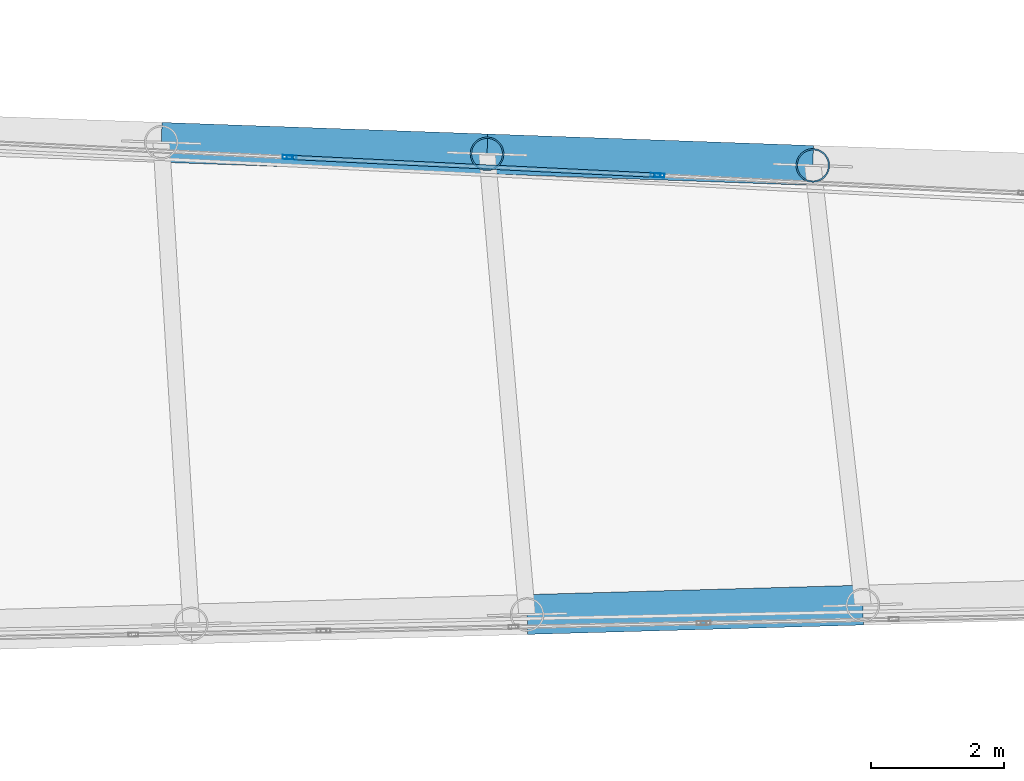
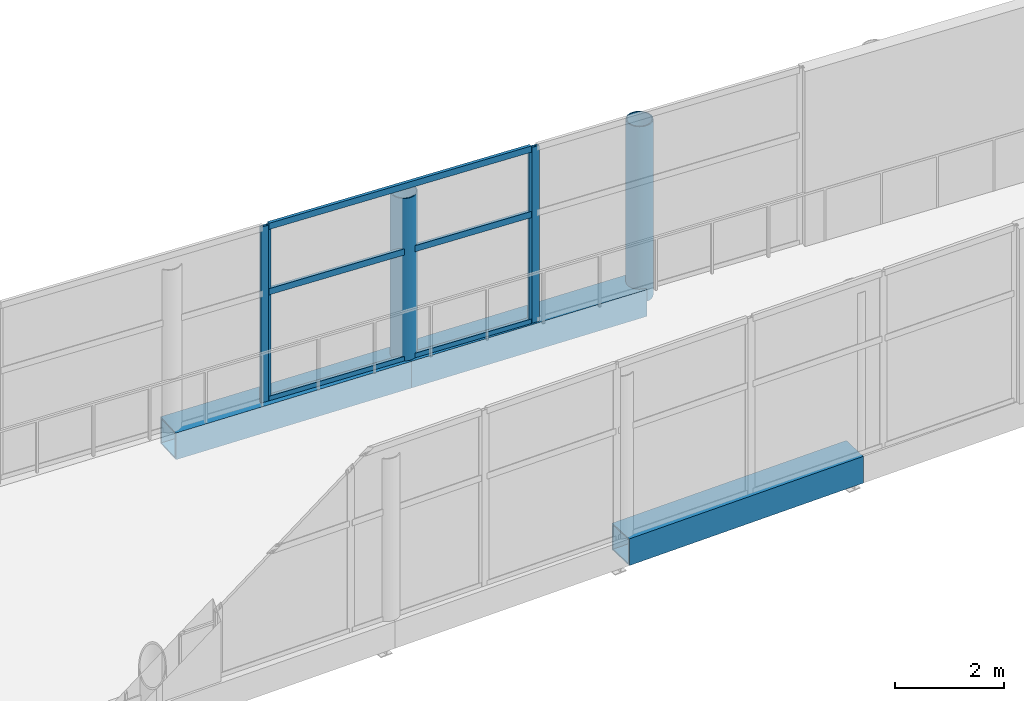
# One storey, part 7 of 23: 12 members, 3 elements without a shape of their own.
"""IFC4 building model written with IfcOpenShell, lengths in metres."""

from ifc_helpers import new_model, si_unit, direction, frame, origin, origin_2d, place, context, subcontext, project, spatial, hollow_rectangle, hollow_circle, extrude, material, layer, layer_set, material_profile, profile_set, type_object, element, aggregate, save


model = new_model("IFC4")

# Units and contexts
model_context = context("Model", 3, precision=1e-05, world=origin(), true_north=direction((0.0, 1.0)))
body_context = subcontext(model_context, "Body", "Model", "MODEL_VIEW")
ifc_project = project(units=[si_unit("LENGTHUNIT", "METRE"), si_unit("AREAUNIT", "SQUARE_METRE"), si_unit("VOLUMEUNIT", "CUBIC_METRE"), si_unit("PLANEANGLEUNIT", "RADIAN"), si_unit("MASSUNIT", "GRAM", prefix="KILO")], contexts=[model_context])

# Site, building, storey
site_placement = place(None, origin())
site = spatial("IfcSite", under=ifc_project, at=site_placement, CompositionType="ELEMENT")
building_placement = place(site_placement, origin())
building = spatial("IfcBuilding", under=site, at=building_placement, Name="Haevon Station Towers", CompositionType="ELEMENT")
storey_placement = place(building_placement, frame((0.0, 0.0, 197.10009765625)))
storey = spatial("IfcBuildingStorey", under=building, at=storey_placement, Name="L54", CompositionType="ELEMENT", Elevation=197.10009765625)

# Members
ifc_material_1 = material(Name="Steel S460", Category="steel")
ifc_material_profile_1 = material_profile(ifc_material_1, hollow_rectangle(XDim=0.60009765625, YDim=0.60009765625, WallThickness=0.030029296875, at=origin_2d()), Name="RHS-600x600x30")
ifc_profile_set_1 = profile_set([ifc_material_profile_1], Name="Steel S460")
member_type_1 = type_object("IfcMemberType", Name="CHSKP-600", PredefinedType="CHORD", material=ifc_profile_set_1)
member_1_placement = place(storey_placement, frame((76.75, 30.567626953125, -0.300048828125), z_axis=(0.999606716423, 0.028043046946, 0.0), x_axis=(-0.028043046946, 0.999606716423, 0.0)))
element("IfcMember", 1, at=member_1_placement, inside=storey, type_object=member_type_1, Name="CH-SKP-S-BOT-5", PredefinedType="CHORD", context=body_context, shape_type="SweptSolid", body=[
    extrude(hollow_rectangle(XDim=0.60009765625, YDim=0.60009765625, WallThickness=0.030029296875, at=origin_2d()), origin(), (0.0, 0.0, 1.0), 5.05810546875),
])
for number, where, z_axis, x_axis, name in (
    (2, (71.241455078125, 37.67822265625, -0.300048828125), (0.99937100153, -0.035462674767, 0.0), (0.035462674767, 0.99937100153, 0.0), "CH-SKP-N-BOT-4"),
    (3, (76.14697265625, 37.504150390625, -0.300048828125), (0.99937100153, -0.035462674767, 0.0), (0.035462674767, 0.99937100153, 0.0), "CH-SKP-N-BOT-5"),
):
    element("IfcMember", number, at=place(storey_placement, frame(where, z_axis=z_axis, x_axis=x_axis)), inside=storey, type_object=member_type_1, Name=name, PredefinedType="CHORD", context=body_context, shape_type="SweptSolid", body=[
        extrude(hollow_rectangle(XDim=0.60009765625, YDim=0.60009765625, WallThickness=0.030029296875, at=origin_2d()), origin(), (0.0, 0.0, 1.0), 4.90869140625),
    ])

# Curtain wall, member
ifc_material_2 = material(Name="Anodised aluminium and Low-E double glazing", Category="aluminium")
ifc_layer = layer(ifc_material_2, 0.179931640625)
ifc_layer_set = layer_set([ifc_layer], Name="Anodised aluminium and Low-E double glazing")
curtain_wall_type = type_object("IfcCurtainWallType", Name="CW-SYS6", PredefinedType="NOTDEFINED", material=ifc_layer_set)
curtain_wall_1_placement = place(storey_placement, origin())
curtain_wall_1 = element("IfcCurtainWall", 4, at=curtain_wall_1_placement, inside=storey, type_object=curtain_wall_type, Name="L54 Curtain Wall CW-SKP-L54-N1", PredefinedType="NOTDEFINED")
ifc_material_3 = material(Name="Anodised aluminium 6063-T6", Category="aluminium")
ifc_material_profile_2 = material_profile(ifc_material_3, hollow_rectangle(XDim=0.06005859375, YDim=0.14990234375, WallThickness=0.00341796875, at=origin_2d()), Name="CWM-150x60x3.5")
ifc_profile_set_2 = profile_set([ifc_material_profile_2], Name="Anodised aluminium 6063-T6")
member_type_2 = type_object("IfcMemberType", Name="CWM-150", PredefinedType="MULLION", material=ifc_profile_set_2)
member_2_placement = place(storey_placement, frame((73.144287109375, 37.453857421875, 0.0), z_axis=(0.0, 0.0, 1.0), x_axis=(0.048821987934, 0.998807495714, 0.0)))
member_2 = element("IfcMember", 5, at=member_2_placement, type_object=member_type_2, Name="CW-SYS6 mullion 2", PredefinedType="MULLION", context=body_context, shape_type="SweptSolid", body=[
    extrude(hollow_rectangle(XDim=0.06005859375, YDim=0.14990234375, WallThickness=0.00341796875, at=origin_2d()), origin(), (0.0, 0.0, 1.0), 3.949951171875),
])
aggregate(curtain_wall_1, [member_2])

# Curtain wall, members
curtain_wall_2_placement = place(storey_placement, origin())
curtain_wall_2 = element("IfcCurtainWall", 6, at=curtain_wall_2_placement, inside=storey, type_object=curtain_wall_type, Name="L54 Curtain Wall CW-SKP-L54-N2", PredefinedType="NOTDEFINED")
member_3_placement = place(storey_placement, frame((73.204345703125, 37.450927734375, 0.0), z_axis=(0.0, 0.0, 1.0), x_axis=(0.048821979148, 0.998807496143, 0.0)))
member_3 = element("IfcMember", 7, at=member_3_placement, type_object=member_type_2, Name="CW-SYS6 mullion 1", PredefinedType="MULLION", context=body_context, shape_type="SweptSolid", body=[
    extrude(hollow_rectangle(XDim=0.06005859375, YDim=0.14990234375, WallThickness=0.00341796875, at=origin_2d()), origin(), (0.0, 0.0, 1.0), 3.949951171875),
])
member_4_placement = place(storey_placement, frame((78.68408203125, 37.18310546875, 0.0), z_axis=(0.0, 0.0, 1.0), x_axis=(0.048821979148, 0.998807496143, 0.0)))
member_4 = element("IfcMember", 8, at=member_4_placement, type_object=member_type_2, Name="CW-SYS6 mullion 2", PredefinedType="MULLION", context=body_context, shape_type="SweptSolid", body=[
    extrude(hollow_rectangle(XDim=0.06005859375, YDim=0.14990234375, WallThickness=0.00341796875, at=origin_2d()), origin(), (0.0, 0.0, 1.0), 3.949951171875),
])

# Curtain wall, member
curtain_wall_3_placement = place(storey_placement, origin())
curtain_wall_3 = element("IfcCurtainWall", 9, at=curtain_wall_3_placement, inside=storey, type_object=curtain_wall_type, Name="L54 Curtain Wall CW-SKP-L54-N3", PredefinedType="NOTDEFINED")
member_5_placement = place(storey_placement, frame((78.743896484375, 37.18017578125, 0.0), z_axis=(0.0, 0.0, 1.0), x_axis=(0.048821987934, 0.998807495714, 0.0)))
member_5 = element("IfcMember", 10, at=member_5_placement, type_object=member_type_2, Name="CW-SYS6 mullion 1", PredefinedType="MULLION", context=body_context, shape_type="SweptSolid", body=[
    extrude(hollow_rectangle(XDim=0.06005859375, YDim=0.14990234375, WallThickness=0.00341796875, at=origin_2d()), origin(), (0.0, 0.0, 1.0), 3.949951171875),
])
aggregate(curtain_wall_3, [member_5])

# Member
ifc_material_profile_3 = material_profile(ifc_material_3, hollow_rectangle(XDim=0.06494140625, YDim=0.139892578125, WallThickness=0.00341796875, at=origin_2d()), Name="CWT-140x65x3.5")
ifc_profile_set_3 = profile_set([ifc_material_profile_3], Name="Anodised aluminium 6063-T6")
member_type_3 = type_object("IfcMemberType", Name="CWT-140", PredefinedType="USERDEFINED", material=ifc_profile_set_3)
member_6_placement = place(storey_placement, frame((73.234375, 37.449462890625, 0.032470703125), z_axis=(0.998807700384, -0.048817800573, 0.0), x_axis=(0.048817800573, 0.998807700384, 0.0)))
member_6 = element("IfcMember", 11, at=member_6_placement, type_object=member_type_3, Name="CW-SYS6 transom 1.1", ObjectType="TRANSOM", PredefinedType="USERDEFINED", context=body_context, shape_type="SweptSolid", body=[
    extrude(hollow_rectangle(XDim=0.06494140625, YDim=0.139892578125, WallThickness=0.00341796875, at=origin_2d()), origin(), (0.0, 0.0, 1.0), 5.426025390625),
])

member_7_placement = place(storey_placement, frame((73.234375, 37.449462890625, 2.448974609375), z_axis=(0.998807700384, -0.048817800573, 0.0), x_axis=(0.048817800573, 0.998807700384, 0.0)))
member_7 = element("IfcMember", 12, at=member_7_placement, type_object=member_type_3, Name="CW-SYS6 transom 1.2", ObjectType="TRANSOM", PredefinedType="USERDEFINED", context=body_context, shape_type="SweptSolid", body=[
    extrude(hollow_rectangle(XDim=0.06494140625, YDim=0.139892578125, WallThickness=0.00341796875, at=origin_2d()), origin(), (0.0, 0.0, 1.0), 5.426025390625),
])

member_8_placement = place(storey_placement, frame((73.234375, 37.449462890625, 3.91748046875), z_axis=(0.998807700384, -0.048817800573, 0.0), x_axis=(0.048817800573, 0.998807700384, 0.0)))
member_8 = element("IfcMember", 13, at=member_8_placement, type_object=member_type_3, Name="CW-SYS6 transom 1.3", ObjectType="TRANSOM", PredefinedType="USERDEFINED", context=body_context, shape_type="SweptSolid", body=[
    extrude(hollow_rectangle(XDim=0.06494140625, YDim=0.139892578125, WallThickness=0.00341796875, at=origin_2d()), origin(), (0.0, 0.0, 1.0), 5.426025390625),
])

aggregate(curtain_wall_2, [member_3, member_4, member_6, member_7, member_8])

# Members
ifc_material_profile_4 = material_profile(ifc_material_1, hollow_circle(Radius=0.25390625, WallThickness=0.02197265625, at=origin_2d()), Name="CHS-508x22")
ifc_profile_set_4 = profile_set([ifc_material_profile_4], Name="Steel S460")
member_type_4 = type_object("IfcMemberType", Name="PSSKP-508", PredefinedType="POST", material=ifc_profile_set_4)
for number, where, z_axis, x_axis, name in (
    (14, (76.14697265625, 37.504150390625, -0.300048828125), (0.0, 0.0, 1.0), (1.0, 0.0, 0.0), "PS-SKP-N-L54-5"),
    (15, (81.052490234375, 37.330078125, -0.300048828125), (0.0, 0.0, 1.0), (1.0, 0.0, 0.0), "PS-SKP-N-L54-6"),
):
    element("IfcMember", number, at=place(storey_placement, frame(where, z_axis=z_axis, x_axis=x_axis)), inside=storey, type_object=member_type_4, Name=name, PredefinedType="POST", context=body_context, shape_type="SweptSolid", body=[
        extrude(hollow_circle(Radius=0.25390625, WallThickness=0.02197265625, at=origin_2d()), origin(), (0.0, 0.0, 1.0), 3.949951171875),
    ])

save(model, "model.ifc")
